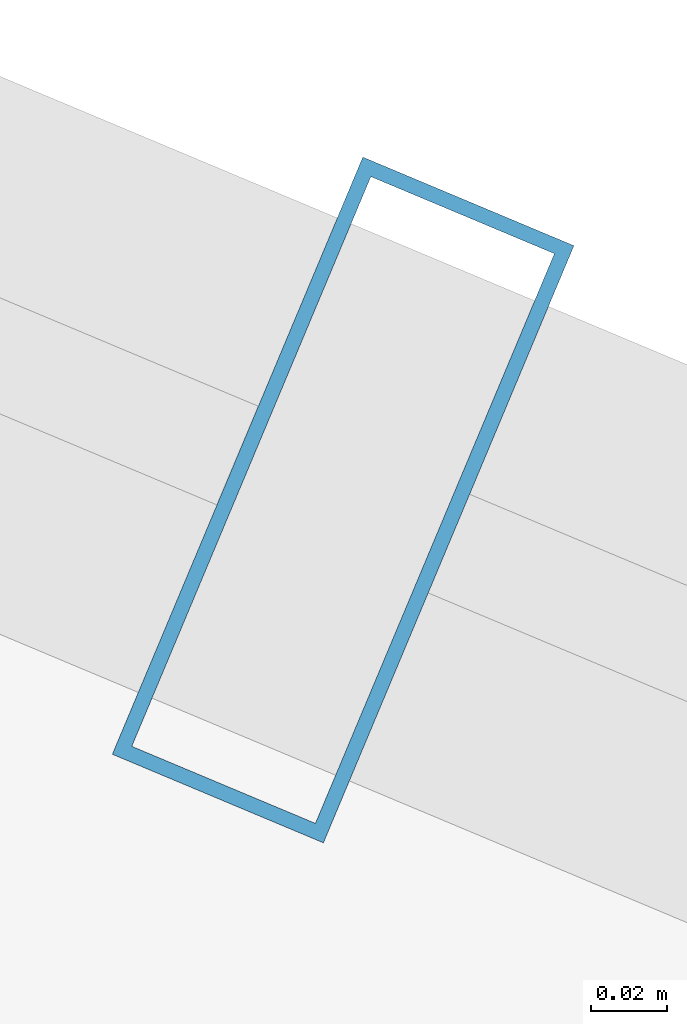
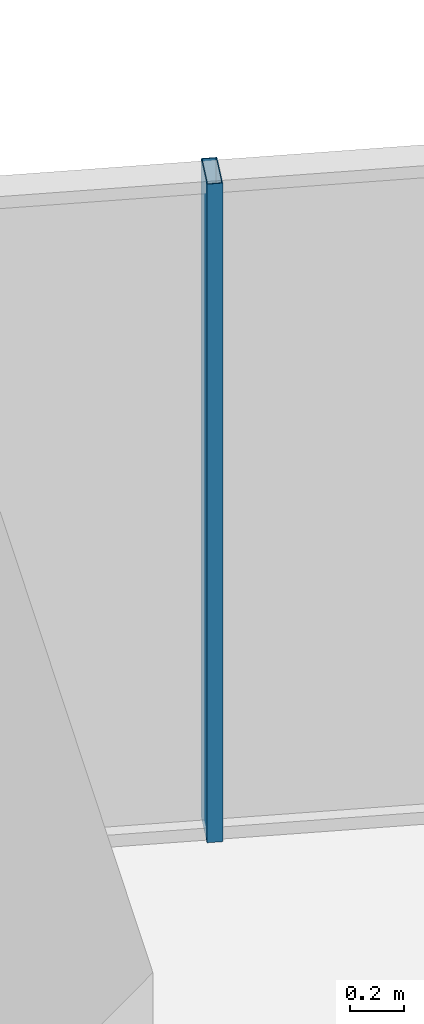
# One storey, part 23 of 33: 1 member, 1 element without a shape of its own.
"""IFC4 building model written with IfcOpenShell, lengths in metres."""

from ifc_helpers import new_model, si_unit, direction, frame, origin, origin_2d, place, context, subcontext, project, spatial, hollow_rectangle, extrude, source, transform, mapped, material, layer, layer_set, material_profile, profile_set, type_object, element, aggregate, save


model = new_model("IFC4")

# Units and contexts
model_context = context("Model", 3, precision=1e-05, world=origin(), true_north=direction((0.0, 1.0)))
body_context = subcontext(model_context, "Body", "Model", "MODEL_VIEW")
ifc_project = project(units=[si_unit("LENGTHUNIT", "METRE"), si_unit("AREAUNIT", "SQUARE_METRE"), si_unit("VOLUMEUNIT", "CUBIC_METRE"), si_unit("PLANEANGLEUNIT", "RADIAN"), si_unit("MASSUNIT", "GRAM", prefix="KILO")], contexts=[model_context])

# Site, building, storey
site_placement = place(None, origin())
site = spatial("IfcSite", under=ifc_project, at=site_placement, CompositionType="ELEMENT")
building_placement = place(site_placement, origin())
building = spatial("IfcBuilding", under=site, at=building_placement, Name="Veraguas Prism Commons", CompositionType="ELEMENT")
storey_placement = place(building_placement, frame((0.0, 0.0, 152.25)))
storey = spatial("IfcBuildingStorey", under=building, at=storey_placement, Name="L43", CompositionType="ELEMENT", Elevation=152.25)

# Curtain wall, member
ifc_material = material(Name="Anodised aluminium EN AW-6063 T6", Category="aluminium")
ifc_layer = layer(ifc_material, 0.169921875, Name="Unitised Flush Curtain Wall Zone 2", Category="aluminium")
ifc_layer_set = layer_set([ifc_layer], Name="Anodised aluminium EN AW-6063 T6")
curtain_wall_type = type_object("IfcCurtainWallType", Name="Unitised Flush Curtain Wall Zone 2", PredefinedType="NOTDEFINED", material=ifc_layer_set)
curtain_wall_placement = place(storey_placement, origin())
curtain_wall = element("IfcCurtainWall", 1, at=curtain_wall_placement, inside=storey, type_object=curtain_wall_type, Name="Tower Facade Curtain Wall L43-F1", PredefinedType="NOTDEFINED")
ifc_material_profile = material_profile(ifc_material, hollow_rectangle(XDim=0.06005859375, YDim=0.169921875, WallThickness=0.00390625, at=origin_2d()), Name="AL60X170X4")
ifc_profile_set = profile_set([ifc_material_profile], Name="Anodised aluminium EN AW-6063 T6")
member_type = type_object("IfcMemberType", Name="Curtain Wall Mullion Lower AL 60x170x4", PredefinedType="MULLION", material=ifc_profile_set)
shared_shape = source(origin(), body_context, "Body", "SweptSolid", [
    extrude(hollow_rectangle(XDim=0.06005859375, YDim=0.169921875, WallThickness=0.00390625, at=origin_2d()), origin(), (0.0, 0.0, 1.0), 3.0),
])
member_placement = place(storey_placement, frame((31.421142578125, 41.688720703125, 0.0), z_axis=(0.0, 0.0, 1.0), x_axis=(-0.922132113386, 0.38687512903, 0.0)))
member = element("IfcMember", 2, at=member_placement, type_object=member_type, Name="CW-Z2 Mullion 3", PredefinedType="MULLION", context=body_context, shape_type="MappedRepresentation", body=[
    mapped(shared_shape, transform((0.0, 0.0, 0.0), scale=1.0)),
])
aggregate(curtain_wall, [member])

save(model, "model.ifc")
